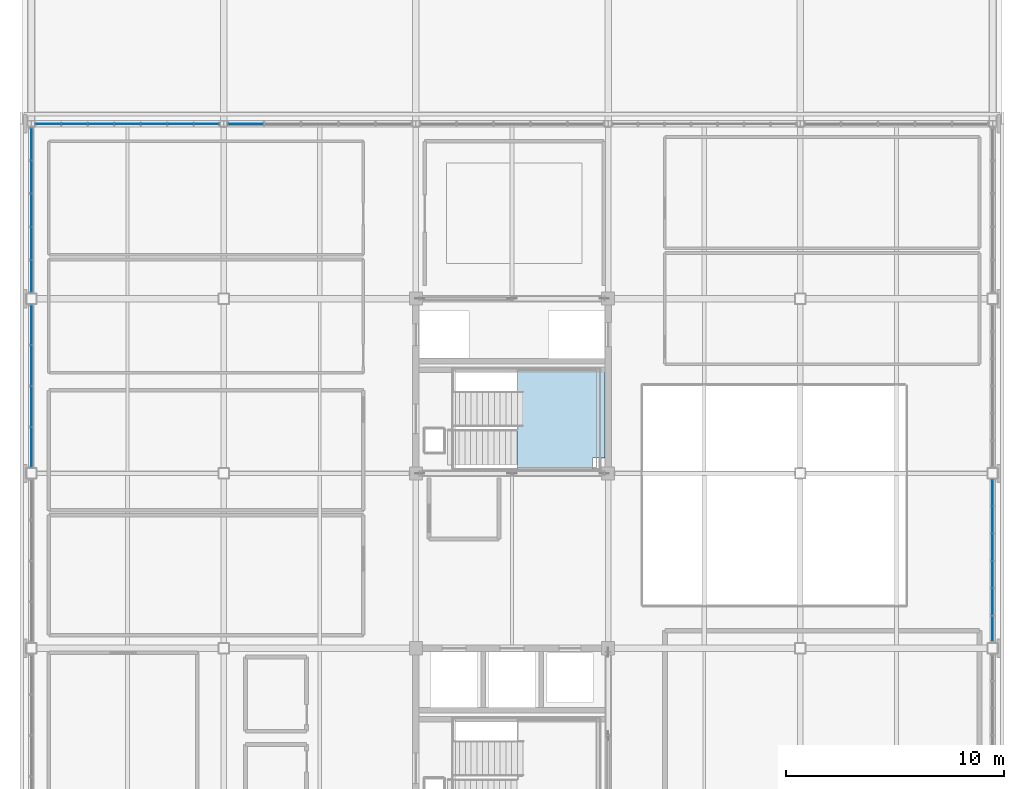
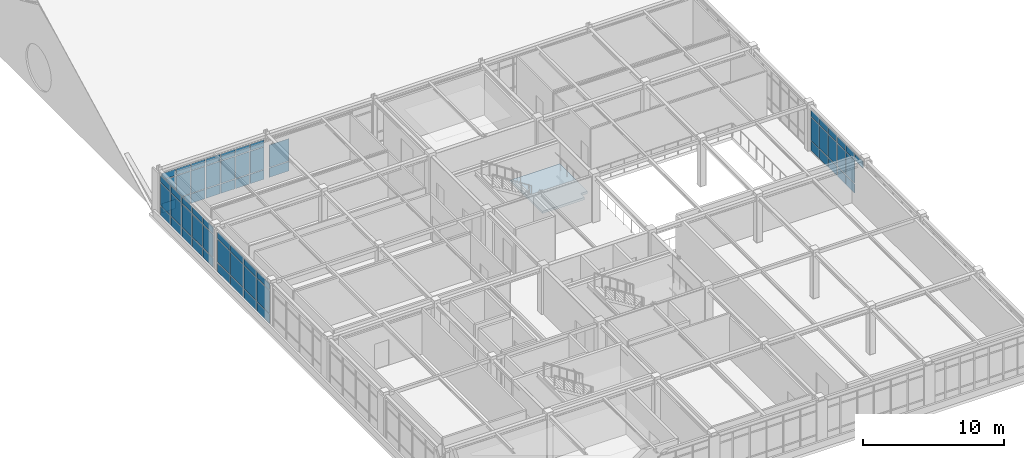
# One storey, part 24 of 45: 66 plates, 1 slab, 6 elements without a shape of their own.
"""IFC4 building model written with IfcOpenShell, lengths in metres."""

from ifc_helpers import new_model, si_unit, direction, frame, origin, origin_2d, place, context, subcontext, project, spatial, polyline, rectangle, outline, extrude, material, layer, layer_set, type_object, element, aggregate, save


model = new_model("IFC4")

# Units and contexts
model_context = context("Model", 3, precision=1e-05, world=origin(), true_north=direction((0.0, 1.0)))
body_context = subcontext(model_context, "Body", "Model", "MODEL_VIEW")
ifc_project = project(units=[si_unit("LENGTHUNIT", "METRE"), si_unit("AREAUNIT", "SQUARE_METRE"), si_unit("VOLUMEUNIT", "CUBIC_METRE"), si_unit("PLANEANGLEUNIT", "RADIAN"), si_unit("MASSUNIT", "GRAM", prefix="KILO")], contexts=[model_context])

# Site, building, storey
site_placement = place(None, origin())
site = spatial("IfcSite", under=ifc_project, at=site_placement, CompositionType="ELEMENT")
building_placement = place(site_placement, origin())
building = spatial("IfcBuilding", under=site, at=building_placement, Name="Zhaolan Boulevard Law Courts", CompositionType="ELEMENT")
storey_placement = place(building_placement, frame((0.0, 0.0, 24.60009765625)))
storey = spatial("IfcBuildingStorey", under=building, at=storey_placement, Name="L05", CompositionType="ELEMENT", Elevation=24.60009765625)

# Curtain wall, plates
ifc_material_1 = material(Name="Thermally broken aluminium and low-E glazing", Category="aluminium")
curtain_wall_type_1 = type_object("IfcCurtainWallType", Name="CURTAIN WALL M15", PredefinedType="USERDEFINED", material=ifc_material_1)
curtain_wall_1_placement = place(storey_placement, origin())
curtain_wall_1 = element("IfcCurtainWall", 1, at=curtain_wall_1_placement, inside=storey, type_object=curtain_wall_type_1, Name="Curtain Wall CW-L05-207", ObjectType="CURTAIN WALL", PredefinedType="USERDEFINED")
ifc_material_2 = material(Name="Triple-silver low-E insulated glazing", Category="glass")
ifc_layer_1 = layer(ifc_material_2, 0.028076171875)
ifc_layer_set_1 = layer_set([ifc_layer_1])
plate_type = type_object("IfcPlateType", Name="CWPANEL LOW E28", PredefinedType="CURTAIN_PANEL", material=ifc_layer_set_1)
plate_1_placement = place(storey_placement, frame((8.026123046875, 78.0, 0.059814453125), z_axis=(0.0, 0.0, 1.0), x_axis=(-1.0, 0.0, 0.0)))
plate_1 = element("IfcPlate", 2, at=plate_1_placement, type_object=plate_type, Name="CW-L05-207 panel 1.1", PredefinedType="CURTAIN_PANEL", context=body_context, shape_type="SweptSolid", body=[
    extrude(rectangle(XDim=1.123779296875, YDim=0.028076171875, at=origin_2d()), origin(), (0.0, 0.0, 1.0), 0.81005859375),
])
plate_2_placement = place(storey_placement, frame((8.026123046875, 78.0, 0.929931640625), z_axis=(0.0, 0.0, 1.0), x_axis=(-1.0, 0.0, 0.0)))
plate_2 = element("IfcPlate", 3, at=plate_2_placement, type_object=plate_type, Name="CW-L05-207 panel 1.2", PredefinedType="CURTAIN_PANEL", context=body_context, shape_type="SweptSolid", body=[
    extrude(rectangle(XDim=1.123779296875, YDim=0.028076171875, at=origin_2d()), origin(), (0.0, 0.0, 1.0), 1.93310546875),
])
plate_3_placement = place(storey_placement, frame((8.026123046875, 78.0, 2.9228515625), z_axis=(0.0, 0.0, 1.0), x_axis=(-1.0, 0.0, 0.0)))
plate_3 = element("IfcPlate", 4, at=plate_3_placement, type_object=plate_type, Name="CW-L05-207 panel 1.3", PredefinedType="CURTAIN_PANEL", context=body_context, shape_type="SweptSolid", body=[
    extrude(rectangle(XDim=1.123779296875, YDim=0.028076171875, at=origin_2d()), origin(), (0.0, 0.0, 1.0), 0.56005859375),
])
plate_4_placement = place(storey_placement, frame((6.827392578125, 78.0, 0.059814453125), z_axis=(0.0, 0.0, 1.0), x_axis=(-1.0, 0.0, 0.0)))
plate_4 = element("IfcPlate", 5, at=plate_4_placement, type_object=plate_type, Name="CW-L05-207 panel 2.1", PredefinedType="CURTAIN_PANEL", context=body_context, shape_type="SweptSolid", body=[
    extrude(rectangle(XDim=1.15380859375, YDim=0.028076171875, at=origin_2d()), origin(), (0.0, 0.0, 1.0), 0.81005859375),
])
plate_5_placement = place(storey_placement, frame((6.827392578125, 78.0, 0.929931640625), z_axis=(0.0, 0.0, 1.0), x_axis=(-1.0, 0.0, 0.0)))
plate_5 = element("IfcPlate", 6, at=plate_5_placement, type_object=plate_type, Name="CW-L05-207 panel 2.2", PredefinedType="CURTAIN_PANEL", context=body_context, shape_type="SweptSolid", body=[
    extrude(rectangle(XDim=1.15380859375, YDim=0.028076171875, at=origin_2d()), origin(), (0.0, 0.0, 1.0), 1.93310546875),
])
plate_6_placement = place(storey_placement, frame((6.827392578125, 78.0, 2.9228515625), z_axis=(0.0, 0.0, 1.0), x_axis=(-1.0, 0.0, 0.0)))
plate_6 = element("IfcPlate", 7, at=plate_6_placement, type_object=plate_type, Name="CW-L05-207 panel 2.3", PredefinedType="CURTAIN_PANEL", context=body_context, shape_type="SweptSolid", body=[
    extrude(rectangle(XDim=1.15380859375, YDim=0.028076171875, at=origin_2d()), origin(), (0.0, 0.0, 1.0), 0.56005859375),
])
plate_7_placement = place(storey_placement, frame((5.61376953125, 78.0, 0.059814453125), z_axis=(0.0, 0.0, 1.0), x_axis=(-1.0, 0.0, 0.0)))
plate_7 = element("IfcPlate", 8, at=plate_7_placement, type_object=plate_type, Name="CW-L05-207 panel 3.1", PredefinedType="CURTAIN_PANEL", context=body_context, shape_type="SweptSolid", body=[
    extrude(rectangle(XDim=1.15380859375, YDim=0.028076171875, at=origin_2d()), origin(), (0.0, 0.0, 1.0), 0.81005859375),
])
plate_8_placement = place(storey_placement, frame((5.61376953125, 78.0, 0.929931640625), z_axis=(0.0, 0.0, 1.0), x_axis=(-1.0, 0.0, 0.0)))
plate_8 = element("IfcPlate", 9, at=plate_8_placement, type_object=plate_type, Name="CW-L05-207 panel 3.2", PredefinedType="CURTAIN_PANEL", context=body_context, shape_type="SweptSolid", body=[
    extrude(rectangle(XDim=1.15380859375, YDim=0.028076171875, at=origin_2d()), origin(), (0.0, 0.0, 1.0), 1.93310546875),
])
plate_9_placement = place(storey_placement, frame((5.61376953125, 78.0, 2.9228515625), z_axis=(0.0, 0.0, 1.0), x_axis=(-1.0, 0.0, 0.0)))
plate_9 = element("IfcPlate", 10, at=plate_9_placement, type_object=plate_type, Name="CW-L05-207 panel 3.3", PredefinedType="CURTAIN_PANEL", context=body_context, shape_type="SweptSolid", body=[
    extrude(rectangle(XDim=1.15380859375, YDim=0.028076171875, at=origin_2d()), origin(), (0.0, 0.0, 1.0), 0.56005859375),
])
plate_10_placement = place(storey_placement, frame((4.39990234375, 78.0, 0.059814453125), z_axis=(0.0, 0.0, 1.0), x_axis=(-1.0, 0.0, 0.0)))
plate_10 = element("IfcPlate", 11, at=plate_10_placement, type_object=plate_type, Name="CW-L05-207 panel 4.1", PredefinedType="CURTAIN_PANEL", context=body_context, shape_type="SweptSolid", body=[
    extrude(rectangle(XDim=1.15380859375, YDim=0.028076171875, at=origin_2d()), origin(), (0.0, 0.0, 1.0), 0.81005859375),
])
plate_11_placement = place(storey_placement, frame((4.39990234375, 78.0, 0.929931640625), z_axis=(0.0, 0.0, 1.0), x_axis=(-1.0, 0.0, 0.0)))
plate_11 = element("IfcPlate", 12, at=plate_11_placement, type_object=plate_type, Name="CW-L05-207 panel 4.2", PredefinedType="CURTAIN_PANEL", context=body_context, shape_type="SweptSolid", body=[
    extrude(rectangle(XDim=1.15380859375, YDim=0.028076171875, at=origin_2d()), origin(), (0.0, 0.0, 1.0), 1.93310546875),
])
plate_12_placement = place(storey_placement, frame((4.39990234375, 78.0, 2.9228515625), z_axis=(0.0, 0.0, 1.0), x_axis=(-1.0, 0.0, 0.0)))
plate_12 = element("IfcPlate", 13, at=plate_12_placement, type_object=plate_type, Name="CW-L05-207 panel 4.3", PredefinedType="CURTAIN_PANEL", context=body_context, shape_type="SweptSolid", body=[
    extrude(rectangle(XDim=1.15380859375, YDim=0.028076171875, at=origin_2d()), origin(), (0.0, 0.0, 1.0), 0.56005859375),
])
plate_13_placement = place(storey_placement, frame((3.186279296875, 78.0, 0.059814453125), z_axis=(0.0, 0.0, 1.0), x_axis=(-1.0, 0.0, 0.0)))
plate_13 = element("IfcPlate", 14, at=plate_13_placement, type_object=plate_type, Name="CW-L05-207 panel 5.1", PredefinedType="CURTAIN_PANEL", context=body_context, shape_type="SweptSolid", body=[
    extrude(rectangle(XDim=1.15380859375, YDim=0.028076171875, at=origin_2d()), origin(), (0.0, 0.0, 1.0), 0.81005859375),
])
plate_14_placement = place(storey_placement, frame((3.186279296875, 78.0, 0.929931640625), z_axis=(0.0, 0.0, 1.0), x_axis=(-1.0, 0.0, 0.0)))
plate_14 = element("IfcPlate", 15, at=plate_14_placement, type_object=plate_type, Name="CW-L05-207 panel 5.2", PredefinedType="CURTAIN_PANEL", context=body_context, shape_type="SweptSolid", body=[
    extrude(rectangle(XDim=1.15380859375, YDim=0.028076171875, at=origin_2d()), origin(), (0.0, 0.0, 1.0), 1.93310546875),
])
plate_15_placement = place(storey_placement, frame((3.186279296875, 78.0, 2.9228515625), z_axis=(0.0, 0.0, 1.0), x_axis=(-1.0, 0.0, 0.0)))
plate_15 = element("IfcPlate", 16, at=plate_15_placement, type_object=plate_type, Name="CW-L05-207 panel 5.3", PredefinedType="CURTAIN_PANEL", context=body_context, shape_type="SweptSolid", body=[
    extrude(rectangle(XDim=1.15380859375, YDim=0.028076171875, at=origin_2d()), origin(), (0.0, 0.0, 1.0), 0.56005859375),
])
plate_16_placement = place(storey_placement, frame((1.97265625, 78.0, 0.059814453125), z_axis=(0.0, 0.0, 1.0), x_axis=(-1.0, 0.0, 0.0)))
plate_16 = element("IfcPlate", 17, at=plate_16_placement, type_object=plate_type, Name="CW-L05-207 panel 6.1", PredefinedType="CURTAIN_PANEL", context=body_context, shape_type="SweptSolid", body=[
    extrude(rectangle(XDim=1.15380859375, YDim=0.028076171875, at=origin_2d()), origin(), (0.0, 0.0, 1.0), 0.81005859375),
])
plate_17_placement = place(storey_placement, frame((1.97265625, 78.0, 0.929931640625), z_axis=(0.0, 0.0, 1.0), x_axis=(-1.0, 0.0, 0.0)))
plate_17 = element("IfcPlate", 18, at=plate_17_placement, type_object=plate_type, Name="CW-L05-207 panel 6.2", PredefinedType="CURTAIN_PANEL", context=body_context, shape_type="SweptSolid", body=[
    extrude(rectangle(XDim=1.15380859375, YDim=0.028076171875, at=origin_2d()), origin(), (0.0, 0.0, 1.0), 1.93310546875),
])
plate_18_placement = place(storey_placement, frame((1.97265625, 78.0, 2.9228515625), z_axis=(0.0, 0.0, 1.0), x_axis=(-1.0, 0.0, 0.0)))
plate_18 = element("IfcPlate", 19, at=plate_18_placement, type_object=plate_type, Name="CW-L05-207 panel 6.3", PredefinedType="CURTAIN_PANEL", context=body_context, shape_type="SweptSolid", body=[
    extrude(rectangle(XDim=1.15380859375, YDim=0.028076171875, at=origin_2d()), origin(), (0.0, 0.0, 1.0), 0.56005859375),
])
plate_19_placement = place(storey_placement, frame((0.77392578125, 78.0, 0.059814453125), z_axis=(0.0, 0.0, 1.0), x_axis=(-1.0, 0.0, 0.0)))
plate_19 = element("IfcPlate", 20, at=plate_19_placement, type_object=plate_type, Name="CW-L05-207 panel 7.1", PredefinedType="CURTAIN_PANEL", context=body_context, shape_type="SweptSolid", body=[
    extrude(rectangle(XDim=1.123779296875, YDim=0.028076171875, at=origin_2d()), origin(), (0.0, 0.0, 1.0), 0.81005859375),
])
plate_20_placement = place(storey_placement, frame((0.77392578125, 78.0, 0.929931640625), z_axis=(0.0, 0.0, 1.0), x_axis=(-1.0, 0.0, 0.0)))
plate_20 = element("IfcPlate", 21, at=plate_20_placement, type_object=plate_type, Name="CW-L05-207 panel 7.2", PredefinedType="CURTAIN_PANEL", context=body_context, shape_type="SweptSolid", body=[
    extrude(rectangle(XDim=1.123779296875, YDim=0.028076171875, at=origin_2d()), origin(), (0.0, 0.0, 1.0), 1.93310546875),
])
plate_21_placement = place(storey_placement, frame((0.77392578125, 78.0, 2.9228515625), z_axis=(0.0, 0.0, 1.0), x_axis=(-1.0, 0.0, 0.0)))
plate_21 = element("IfcPlate", 22, at=plate_21_placement, type_object=plate_type, Name="CW-L05-207 panel 7.3", PredefinedType="CURTAIN_PANEL", context=body_context, shape_type="SweptSolid", body=[
    extrude(rectangle(XDim=1.123779296875, YDim=0.028076171875, at=origin_2d()), origin(), (0.0, 0.0, 1.0), 0.56005859375),
])
aggregate(curtain_wall_1, [plate_1, plate_2, plate_3, plate_4, plate_5, plate_6, plate_7, plate_8, plate_9, plate_10, plate_11, plate_12, plate_13, plate_14, plate_15, plate_16, plate_17, plate_18, plate_19, plate_20, plate_21])

ifc_material_3 = material(Name="Thermally broken aluminium and low-E glazing", Category="aluminium")
curtain_wall_type_2 = type_object("IfcCurtainWallType", Name="CURTAIN WALL M16", PredefinedType="USERDEFINED", material=ifc_material_3)
curtain_wall_2_placement = place(storey_placement, origin())
curtain_wall_2 = element("IfcCurtainWall", 23, at=curtain_wall_2_placement, inside=storey, type_object=curtain_wall_type_2, Name="Curtain Wall CW-L05-208", ObjectType="CURTAIN WALL", PredefinedType="USERDEFINED")
plate_22_placement = place(storey_placement, frame((9.81787109375, 78.0, 0.06494140625), z_axis=(0.0, 0.0, 1.0), x_axis=(-1.0, 0.0, 0.0)))
plate_22 = element("IfcPlate", 24, at=plate_22_placement, type_object=plate_type, Name="CW-L05-208 panel 5.1", PredefinedType="CURTAIN_PANEL", context=body_context, shape_type="SweptSolid", body=[
    extrude(rectangle(XDim=1.601806640625, YDim=0.028076171875, at=origin_2d()), origin(), (0.0, 0.0, 1.0), 0.802490234375),
])
plate_23_placement = place(storey_placement, frame((9.81787109375, 78.0, 0.9326171875), z_axis=(0.0, 0.0, 1.0), x_axis=(-1.0, 0.0, 0.0)))
plate_23 = element("IfcPlate", 25, at=plate_23_placement, type_object=plate_type, Name="CW-L05-208 panel 5.2", PredefinedType="CURTAIN_PANEL", context=body_context, shape_type="SweptSolid", body=[
    extrude(rectangle(XDim=1.601806640625, YDim=0.028076171875, at=origin_2d()), origin(), (0.0, 0.0, 1.0), 1.927978515625),
])
aggregate(curtain_wall_2, [plate_22, plate_23])

ifc_material_4 = material(Name="Thermally broken aluminium and low-E glazing", Category="aluminium")
curtain_wall_type_3 = type_object("IfcCurtainWallType", Name="CURTAIN WALL M24", PredefinedType="USERDEFINED", material=ifc_material_4)
curtain_wall_3_placement = place(storey_placement, origin())
curtain_wall_3 = element("IfcCurtainWall", 26, at=curtain_wall_3_placement, inside=storey, type_object=curtain_wall_type_3, Name="Curtain Wall CW-L05-216", ObjectType="CURTAIN WALL", PredefinedType="USERDEFINED")
plate_24_placement = place(storey_placement, frame((0.0, 68.794677734375, 0.06494140625), z_axis=(0.0, 0.0, 1.0), x_axis=(0.0, -1.0, 0.0)))
plate_24 = element("IfcPlate", 27, at=plate_24_placement, type_object=plate_type, Name="CW-L05-216 panel 1.1", PredefinedType="CURTAIN_PANEL", context=body_context, shape_type="SweptSolid", body=[
    extrude(rectangle(XDim=1.776611328125, YDim=0.028076171875, at=origin_2d()), origin(), (0.0, 0.0, 1.0), 0.802490234375),
])
plate_25_placement = place(storey_placement, frame((0.0, 68.794677734375, 0.932373046875), z_axis=(0.0, 0.0, 1.0), x_axis=(0.0, -1.0, 0.0)))
plate_25 = element("IfcPlate", 28, at=plate_25_placement, type_object=plate_type, Name="CW-L05-216 panel 1.2", PredefinedType="CURTAIN_PANEL", context=body_context, shape_type="SweptSolid", body=[
    extrude(rectangle(XDim=1.776611328125, YDim=0.028076171875, at=origin_2d()), origin(), (0.0, 0.0, 1.0), 1.97802734375),
])
plate_26_placement = place(storey_placement, frame((0.0, 68.794677734375, 2.9755859375), z_axis=(0.0, 0.0, 1.0), x_axis=(0.0, -1.0, 0.0)))
plate_26 = element("IfcPlate", 29, at=plate_26_placement, type_object=plate_type, Name="CW-L05-216 panel 1.3", PredefinedType="CURTAIN_PANEL", context=body_context, shape_type="SweptSolid", body=[
    extrude(rectangle(XDim=1.776611328125, YDim=0.028076171875, at=origin_2d()), origin(), (0.0, 0.0, 1.0), 0.552490234375),
])
plate_27_placement = place(storey_placement, frame((0.0, 66.93701171875, 0.06494140625), z_axis=(0.0, 0.0, 1.0), x_axis=(0.0, -1.0, 0.0)))
plate_27 = element("IfcPlate", 30, at=plate_27_placement, type_object=plate_type, Name="CW-L05-216 panel 2.1", PredefinedType="CURTAIN_PANEL", context=body_context, shape_type="SweptSolid", body=[
    extrude(rectangle(XDim=1.80908203125, YDim=0.028076171875, at=origin_2d()), origin(), (0.0, 0.0, 1.0), 0.802490234375),
])
plate_28_placement = place(storey_placement, frame((0.0, 66.93701171875, 0.932373046875), z_axis=(0.0, 0.0, 1.0), x_axis=(0.0, -1.0, 0.0)))
plate_28 = element("IfcPlate", 31, at=plate_28_placement, type_object=plate_type, Name="CW-L05-216 panel 2.2", PredefinedType="CURTAIN_PANEL", context=body_context, shape_type="SweptSolid", body=[
    extrude(rectangle(XDim=1.80908203125, YDim=0.028076171875, at=origin_2d()), origin(), (0.0, 0.0, 1.0), 1.97802734375),
])
plate_29_placement = place(storey_placement, frame((0.0, 66.93701171875, 2.9755859375), z_axis=(0.0, 0.0, 1.0), x_axis=(0.0, -1.0, 0.0)))
plate_29 = element("IfcPlate", 32, at=plate_29_placement, type_object=plate_type, Name="CW-L05-216 panel 2.3", PredefinedType="CURTAIN_PANEL", context=body_context, shape_type="SweptSolid", body=[
    extrude(rectangle(XDim=1.80908203125, YDim=0.028076171875, at=origin_2d()), origin(), (0.0, 0.0, 1.0), 0.552490234375),
])
plate_30_placement = place(storey_placement, frame((0.0, 65.06298828125, 0.06494140625), z_axis=(0.0, 0.0, 1.0), x_axis=(0.0, -1.0, 0.0)))
plate_30 = element("IfcPlate", 33, at=plate_30_placement, type_object=plate_type, Name="CW-L05-216 panel 3.1", PredefinedType="CURTAIN_PANEL", context=body_context, shape_type="SweptSolid", body=[
    extrude(rectangle(XDim=1.80908203125, YDim=0.028076171875, at=origin_2d()), origin(), (0.0, 0.0, 1.0), 0.802490234375),
])
plate_31_placement = place(storey_placement, frame((0.0, 65.06298828125, 0.932373046875), z_axis=(0.0, 0.0, 1.0), x_axis=(0.0, -1.0, 0.0)))
plate_31 = element("IfcPlate", 34, at=plate_31_placement, type_object=plate_type, Name="CW-L05-216 panel 3.2", PredefinedType="CURTAIN_PANEL", context=body_context, shape_type="SweptSolid", body=[
    extrude(rectangle(XDim=1.80908203125, YDim=0.028076171875, at=origin_2d()), origin(), (0.0, 0.0, 1.0), 1.97802734375),
])
plate_32_placement = place(storey_placement, frame((0.0, 65.06298828125, 2.9755859375), z_axis=(0.0, 0.0, 1.0), x_axis=(0.0, -1.0, 0.0)))
plate_32 = element("IfcPlate", 35, at=plate_32_placement, type_object=plate_type, Name="CW-L05-216 panel 3.3", PredefinedType="CURTAIN_PANEL", context=body_context, shape_type="SweptSolid", body=[
    extrude(rectangle(XDim=1.80908203125, YDim=0.028076171875, at=origin_2d()), origin(), (0.0, 0.0, 1.0), 0.552490234375),
])
plate_33_placement = place(storey_placement, frame((0.0, 63.205322265625, 0.06494140625), z_axis=(0.0, 0.0, 1.0), x_axis=(0.0, -1.0, 0.0)))
plate_33 = element("IfcPlate", 36, at=plate_33_placement, type_object=plate_type, Name="CW-L05-216 panel 4.1", PredefinedType="CURTAIN_PANEL", context=body_context, shape_type="SweptSolid", body=[
    extrude(rectangle(XDim=1.776611328125, YDim=0.028076171875, at=origin_2d()), origin(), (0.0, 0.0, 1.0), 0.802490234375),
])
plate_34_placement = place(storey_placement, frame((0.0, 63.205322265625, 0.932373046875), z_axis=(0.0, 0.0, 1.0), x_axis=(0.0, -1.0, 0.0)))
plate_34 = element("IfcPlate", 37, at=plate_34_placement, type_object=plate_type, Name="CW-L05-216 panel 4.2", PredefinedType="CURTAIN_PANEL", context=body_context, shape_type="SweptSolid", body=[
    extrude(rectangle(XDim=1.776611328125, YDim=0.028076171875, at=origin_2d()), origin(), (0.0, 0.0, 1.0), 1.97802734375),
])
plate_35_placement = place(storey_placement, frame((0.0, 63.205322265625, 2.9755859375), z_axis=(0.0, 0.0, 1.0), x_axis=(0.0, -1.0, 0.0)))
plate_35 = element("IfcPlate", 38, at=plate_35_placement, type_object=plate_type, Name="CW-L05-216 panel 4.3", PredefinedType="CURTAIN_PANEL", context=body_context, shape_type="SweptSolid", body=[
    extrude(rectangle(XDim=1.776611328125, YDim=0.028076171875, at=origin_2d()), origin(), (0.0, 0.0, 1.0), 0.552490234375),
])
aggregate(curtain_wall_3, [plate_24, plate_25, plate_26, plate_27, plate_28, plate_29, plate_30, plate_31, plate_32, plate_33, plate_34, plate_35])

ifc_material_5 = material(Name="Thermally broken aluminium and low-E glazing", Category="aluminium")
curtain_wall_type_4 = type_object("IfcCurtainWallType", Name="CURTAIN WALL M1", PredefinedType="USERDEFINED", material=ifc_material_5)
curtain_wall_4_placement = place(storey_placement, origin())
curtain_wall_4 = element("IfcCurtainWall", 39, at=curtain_wall_4_placement, inside=storey, type_object=curtain_wall_type_4, Name="Curtain Wall CW-L05-217", ObjectType="CURTAIN WALL", PredefinedType="USERDEFINED")
plate_36_placement = place(storey_placement, frame((0.0, 77.072265625, 0.06494140625), z_axis=(0.0, 0.0, 1.0), x_axis=(0.0, -1.0, 0.0)))
plate_36 = element("IfcPlate", 40, at=plate_36_placement, type_object=plate_type, Name="CW-L05-217 panel 1.1", PredefinedType="CURTAIN_PANEL", context=body_context, shape_type="SweptSolid", body=[
    extrude(rectangle(XDim=1.421630859375, YDim=0.028076171875, at=origin_2d()), origin(), (0.0, 0.0, 1.0), 0.802490234375),
])
plate_37_placement = place(storey_placement, frame((0.0, 77.072265625, 0.932373046875), z_axis=(0.0, 0.0, 1.0), x_axis=(0.0, -1.0, 0.0)))
plate_37 = element("IfcPlate", 41, at=plate_37_placement, type_object=plate_type, Name="CW-L05-217 panel 1.2", PredefinedType="CURTAIN_PANEL", context=body_context, shape_type="SweptSolid", body=[
    extrude(rectangle(XDim=1.421630859375, YDim=0.028076171875, at=origin_2d()), origin(), (0.0, 0.0, 1.0), 1.97802734375),
])
plate_38_placement = place(storey_placement, frame((0.0, 77.072265625, 2.9755859375), z_axis=(0.0, 0.0, 1.0), x_axis=(0.0, -1.0, 0.0)))
plate_38 = element("IfcPlate", 42, at=plate_38_placement, type_object=plate_type, Name="CW-L05-217 panel 1.3", PredefinedType="CURTAIN_PANEL", context=body_context, shape_type="SweptSolid", body=[
    extrude(rectangle(XDim=1.421630859375, YDim=0.028076171875, at=origin_2d()), origin(), (0.0, 0.0, 1.0), 0.552490234375),
])
plate_39_placement = place(storey_placement, frame((0.0, 75.569091796875, 0.06494140625), z_axis=(0.0, 0.0, 1.0), x_axis=(0.0, -1.0, 0.0)))
plate_39 = element("IfcPlate", 43, at=plate_39_placement, type_object=plate_type, Name="CW-L05-217 panel 2.1", PredefinedType="CURTAIN_PANEL", context=body_context, shape_type="SweptSolid", body=[
    extrude(rectangle(XDim=1.4541015625, YDim=0.028076171875, at=origin_2d()), origin(), (0.0, 0.0, 1.0), 0.802490234375),
])
plate_40_placement = place(storey_placement, frame((0.0, 75.569091796875, 0.932373046875), z_axis=(0.0, 0.0, 1.0), x_axis=(0.0, -1.0, 0.0)))
plate_40 = element("IfcPlate", 44, at=plate_40_placement, type_object=plate_type, Name="CW-L05-217 panel 2.2", PredefinedType="CURTAIN_PANEL", context=body_context, shape_type="SweptSolid", body=[
    extrude(rectangle(XDim=1.4541015625, YDim=0.028076171875, at=origin_2d()), origin(), (0.0, 0.0, 1.0), 1.97802734375),
])
plate_41_placement = place(storey_placement, frame((0.0, 75.569091796875, 2.9755859375), z_axis=(0.0, 0.0, 1.0), x_axis=(0.0, -1.0, 0.0)))
plate_41 = element("IfcPlate", 45, at=plate_41_placement, type_object=plate_type, Name="CW-L05-217 panel 2.3", PredefinedType="CURTAIN_PANEL", context=body_context, shape_type="SweptSolid", body=[
    extrude(rectangle(XDim=1.4541015625, YDim=0.028076171875, at=origin_2d()), origin(), (0.0, 0.0, 1.0), 0.552490234375),
])
plate_42_placement = place(storey_placement, frame((0.0, 74.050048828125, 0.06494140625), z_axis=(0.0, 0.0, 1.0), x_axis=(0.0, -1.0, 0.0)))
plate_42 = element("IfcPlate", 46, at=plate_42_placement, type_object=plate_type, Name="CW-L05-217 panel 3.1", PredefinedType="CURTAIN_PANEL", context=body_context, shape_type="SweptSolid", body=[
    extrude(rectangle(XDim=1.4541015625, YDim=0.028076171875, at=origin_2d()), origin(), (0.0, 0.0, 1.0), 0.802490234375),
])
plate_43_placement = place(storey_placement, frame((0.0, 74.050048828125, 0.932373046875), z_axis=(0.0, 0.0, 1.0), x_axis=(0.0, -1.0, 0.0)))
plate_43 = element("IfcPlate", 47, at=plate_43_placement, type_object=plate_type, Name="CW-L05-217 panel 3.2", PredefinedType="CURTAIN_PANEL", context=body_context, shape_type="SweptSolid", body=[
    extrude(rectangle(XDim=1.4541015625, YDim=0.028076171875, at=origin_2d()), origin(), (0.0, 0.0, 1.0), 1.97802734375),
])
plate_44_placement = place(storey_placement, frame((0.0, 74.050048828125, 2.9755859375), z_axis=(0.0, 0.0, 1.0), x_axis=(0.0, -1.0, 0.0)))
plate_44 = element("IfcPlate", 48, at=plate_44_placement, type_object=plate_type, Name="CW-L05-217 panel 3.3", PredefinedType="CURTAIN_PANEL", context=body_context, shape_type="SweptSolid", body=[
    extrude(rectangle(XDim=1.4541015625, YDim=0.028076171875, at=origin_2d()), origin(), (0.0, 0.0, 1.0), 0.552490234375),
])
plate_45_placement = place(storey_placement, frame((0.0, 72.53076171875, 0.06494140625), z_axis=(0.0, 0.0, 1.0), x_axis=(0.0, -1.0, 0.0)))
plate_45 = element("IfcPlate", 49, at=plate_45_placement, type_object=plate_type, Name="CW-L05-217 panel 4.1", PredefinedType="CURTAIN_PANEL", context=body_context, shape_type="SweptSolid", body=[
    extrude(rectangle(XDim=1.4541015625, YDim=0.028076171875, at=origin_2d()), origin(), (0.0, 0.0, 1.0), 0.802490234375),
])
plate_46_placement = place(storey_placement, frame((0.0, 72.53076171875, 0.932373046875), z_axis=(0.0, 0.0, 1.0), x_axis=(0.0, -1.0, 0.0)))
plate_46 = element("IfcPlate", 50, at=plate_46_placement, type_object=plate_type, Name="CW-L05-217 panel 4.2", PredefinedType="CURTAIN_PANEL", context=body_context, shape_type="SweptSolid", body=[
    extrude(rectangle(XDim=1.4541015625, YDim=0.028076171875, at=origin_2d()), origin(), (0.0, 0.0, 1.0), 1.97802734375),
])
plate_47_placement = place(storey_placement, frame((0.0, 72.53076171875, 2.9755859375), z_axis=(0.0, 0.0, 1.0), x_axis=(0.0, -1.0, 0.0)))
plate_47 = element("IfcPlate", 51, at=plate_47_placement, type_object=plate_type, Name="CW-L05-217 panel 4.3", PredefinedType="CURTAIN_PANEL", context=body_context, shape_type="SweptSolid", body=[
    extrude(rectangle(XDim=1.4541015625, YDim=0.028076171875, at=origin_2d()), origin(), (0.0, 0.0, 1.0), 0.552490234375),
])
plate_48_placement = place(storey_placement, frame((0.0, 71.02783203125, 0.06494140625), z_axis=(0.0, 0.0, 1.0), x_axis=(0.0, -1.0, 0.0)))
plate_48 = element("IfcPlate", 52, at=plate_48_placement, type_object=plate_type, Name="CW-L05-217 panel 5.1", PredefinedType="CURTAIN_PANEL", context=body_context, shape_type="SweptSolid", body=[
    extrude(rectangle(XDim=1.421630859375, YDim=0.028076171875, at=origin_2d()), origin(), (0.0, 0.0, 1.0), 0.802490234375),
])
plate_49_placement = place(storey_placement, frame((0.0, 71.02783203125, 0.932373046875), z_axis=(0.0, 0.0, 1.0), x_axis=(0.0, -1.0, 0.0)))
plate_49 = element("IfcPlate", 53, at=plate_49_placement, type_object=plate_type, Name="CW-L05-217 panel 5.2", PredefinedType="CURTAIN_PANEL", context=body_context, shape_type="SweptSolid", body=[
    extrude(rectangle(XDim=1.421630859375, YDim=0.028076171875, at=origin_2d()), origin(), (0.0, 0.0, 1.0), 1.97802734375),
])
plate_50_placement = place(storey_placement, frame((0.0, 71.02783203125, 2.9755859375), z_axis=(0.0, 0.0, 1.0), x_axis=(0.0, -1.0, 0.0)))
plate_50 = element("IfcPlate", 54, at=plate_50_placement, type_object=plate_type, Name="CW-L05-217 panel 5.3", PredefinedType="CURTAIN_PANEL", context=body_context, shape_type="SweptSolid", body=[
    extrude(rectangle(XDim=1.421630859375, YDim=0.028076171875, at=origin_2d()), origin(), (0.0, 0.0, 1.0), 0.552490234375),
])
aggregate(curtain_wall_4, [plate_36, plate_37, plate_38, plate_39, plate_40, plate_41, plate_42, plate_43, plate_44, plate_45, plate_46, plate_47, plate_48, plate_49, plate_50])

ifc_material_6 = material(Name="Thermally broken aluminium and low-E glazing", Category="aluminium")
curtain_wall_type_5 = type_object("IfcCurtainWallType", Name="CURTAIN WALL M5", PredefinedType="USERDEFINED", material=ifc_material_6)
curtain_wall_5_placement = place(storey_placement, origin())
curtain_wall_5 = element("IfcCurtainWall", 55, at=curtain_wall_5_placement, inside=storey, type_object=curtain_wall_type_5, Name="Curtain Wall CW-L05-221", ObjectType="CURTAIN WALL", PredefinedType="USERDEFINED")
plate_51_placement = place(storey_placement, frame((44.0, 54.8916015625, 2.972900390625), z_axis=(0.0, 0.0, 1.0), x_axis=(0.0, 1.0, 0.0)))
plate_51 = element("IfcPlate", 56, at=plate_51_placement, type_object=plate_type, Name="CW-L05-221 panel 1.3", PredefinedType="CURTAIN_PANEL", context=body_context, shape_type="SweptSolid", body=[
    extrude(rectangle(XDim=1.159423828125, YDim=0.028076171875, at=origin_2d()), origin(), (0.0, 0.0, 1.0), 0.56005859375),
])
plate_52_placement = place(storey_placement, frame((44.0, 56.1259765625, 0.059814453125), z_axis=(0.0, 0.0, 1.0), x_axis=(0.0, 1.0, 0.0)))
plate_52 = element("IfcPlate", 57, at=plate_52_placement, type_object=plate_type, Name="CW-L05-221 panel 2.1", PredefinedType="CURTAIN_PANEL", context=body_context, shape_type="SweptSolid", body=[
    extrude(rectangle(XDim=1.189453125, YDim=0.028076171875, at=origin_2d()), origin(), (0.0, 0.0, 1.0), 0.81005859375),
])
plate_53_placement = place(storey_placement, frame((44.0, 56.1259765625, 0.929931640625), z_axis=(0.0, 0.0, 1.0), x_axis=(0.0, 1.0, 0.0)))
plate_53 = element("IfcPlate", 58, at=plate_53_placement, type_object=plate_type, Name="CW-L05-221 panel 2.2", PredefinedType="CURTAIN_PANEL", context=body_context, shape_type="SweptSolid", body=[
    extrude(rectangle(XDim=1.189453125, YDim=0.028076171875, at=origin_2d()), origin(), (0.0, 0.0, 1.0), 1.98291015625),
])
plate_54_placement = place(storey_placement, frame((44.0, 56.1259765625, 2.972900390625), z_axis=(0.0, 0.0, 1.0), x_axis=(0.0, 1.0, 0.0)))
plate_54 = element("IfcPlate", 59, at=plate_54_placement, type_object=plate_type, Name="CW-L05-221 panel 2.3", PredefinedType="CURTAIN_PANEL", context=body_context, shape_type="SweptSolid", body=[
    extrude(rectangle(XDim=1.189453125, YDim=0.028076171875, at=origin_2d()), origin(), (0.0, 0.0, 1.0), 0.56005859375),
])
plate_55_placement = place(storey_placement, frame((44.0, 57.375244140625, 0.059814453125), z_axis=(0.0, 0.0, 1.0), x_axis=(0.0, 1.0, 0.0)))
plate_55 = element("IfcPlate", 60, at=plate_55_placement, type_object=plate_type, Name="CW-L05-221 panel 3.1", PredefinedType="CURTAIN_PANEL", context=body_context, shape_type="SweptSolid", body=[
    extrude(rectangle(XDim=1.189453125, YDim=0.028076171875, at=origin_2d()), origin(), (0.0, 0.0, 1.0), 0.81005859375),
])
plate_56_placement = place(storey_placement, frame((44.0, 57.375244140625, 0.929931640625), z_axis=(0.0, 0.0, 1.0), x_axis=(0.0, 1.0, 0.0)))
plate_56 = element("IfcPlate", 61, at=plate_56_placement, type_object=plate_type, Name="CW-L05-221 panel 3.2", PredefinedType="CURTAIN_PANEL", context=body_context, shape_type="SweptSolid", body=[
    extrude(rectangle(XDim=1.189453125, YDim=0.028076171875, at=origin_2d()), origin(), (0.0, 0.0, 1.0), 1.98291015625),
])
plate_57_placement = place(storey_placement, frame((44.0, 57.375244140625, 2.972900390625), z_axis=(0.0, 0.0, 1.0), x_axis=(0.0, 1.0, 0.0)))
plate_57 = element("IfcPlate", 62, at=plate_57_placement, type_object=plate_type, Name="CW-L05-221 panel 3.3", PredefinedType="CURTAIN_PANEL", context=body_context, shape_type="SweptSolid", body=[
    extrude(rectangle(XDim=1.189453125, YDim=0.028076171875, at=origin_2d()), origin(), (0.0, 0.0, 1.0), 0.56005859375),
])
plate_58_placement = place(storey_placement, frame((44.0, 58.624755859375, 0.059814453125), z_axis=(0.0, 0.0, 1.0), x_axis=(0.0, 1.0, 0.0)))
plate_58 = element("IfcPlate", 63, at=plate_58_placement, type_object=plate_type, Name="CW-L05-221 panel 4.1", PredefinedType="CURTAIN_PANEL", context=body_context, shape_type="SweptSolid", body=[
    extrude(rectangle(XDim=1.189453125, YDim=0.028076171875, at=origin_2d()), origin(), (0.0, 0.0, 1.0), 0.81005859375),
])
plate_59_placement = place(storey_placement, frame((44.0, 58.624755859375, 0.929931640625), z_axis=(0.0, 0.0, 1.0), x_axis=(0.0, 1.0, 0.0)))
plate_59 = element("IfcPlate", 64, at=plate_59_placement, type_object=plate_type, Name="CW-L05-221 panel 4.2", PredefinedType="CURTAIN_PANEL", context=body_context, shape_type="SweptSolid", body=[
    extrude(rectangle(XDim=1.189453125, YDim=0.028076171875, at=origin_2d()), origin(), (0.0, 0.0, 1.0), 1.98291015625),
])
plate_60_placement = place(storey_placement, frame((44.0, 58.624755859375, 2.972900390625), z_axis=(0.0, 0.0, 1.0), x_axis=(0.0, 1.0, 0.0)))
plate_60 = element("IfcPlate", 65, at=plate_60_placement, type_object=plate_type, Name="CW-L05-221 panel 4.3", PredefinedType="CURTAIN_PANEL", context=body_context, shape_type="SweptSolid", body=[
    extrude(rectangle(XDim=1.189453125, YDim=0.028076171875, at=origin_2d()), origin(), (0.0, 0.0, 1.0), 0.56005859375),
])
plate_61_placement = place(storey_placement, frame((44.0, 59.8740234375, 0.059814453125), z_axis=(0.0, 0.0, 1.0), x_axis=(0.0, 1.0, 0.0)))
plate_61 = element("IfcPlate", 66, at=plate_61_placement, type_object=plate_type, Name="CW-L05-221 panel 5.1", PredefinedType="CURTAIN_PANEL", context=body_context, shape_type="SweptSolid", body=[
    extrude(rectangle(XDim=1.189453125, YDim=0.028076171875, at=origin_2d()), origin(), (0.0, 0.0, 1.0), 0.81005859375),
])
plate_62_placement = place(storey_placement, frame((44.0, 59.8740234375, 0.929931640625), z_axis=(0.0, 0.0, 1.0), x_axis=(0.0, 1.0, 0.0)))
plate_62 = element("IfcPlate", 67, at=plate_62_placement, type_object=plate_type, Name="CW-L05-221 panel 5.2", PredefinedType="CURTAIN_PANEL", context=body_context, shape_type="SweptSolid", body=[
    extrude(rectangle(XDim=1.189453125, YDim=0.028076171875, at=origin_2d()), origin(), (0.0, 0.0, 1.0), 1.98291015625),
])
plate_63_placement = place(storey_placement, frame((44.0, 59.8740234375, 2.972900390625), z_axis=(0.0, 0.0, 1.0), x_axis=(0.0, 1.0, 0.0)))
plate_63 = element("IfcPlate", 68, at=plate_63_placement, type_object=plate_type, Name="CW-L05-221 panel 5.3", PredefinedType="CURTAIN_PANEL", context=body_context, shape_type="SweptSolid", body=[
    extrude(rectangle(XDim=1.189453125, YDim=0.028076171875, at=origin_2d()), origin(), (0.0, 0.0, 1.0), 0.56005859375),
])
plate_64_placement = place(storey_placement, frame((44.0, 61.1083984375, 0.059814453125), z_axis=(0.0, 0.0, 1.0), x_axis=(0.0, 1.0, 0.0)))
plate_64 = element("IfcPlate", 69, at=plate_64_placement, type_object=plate_type, Name="CW-L05-221 panel 6.1", PredefinedType="CURTAIN_PANEL", context=body_context, shape_type="SweptSolid", body=[
    extrude(rectangle(XDim=1.159423828125, YDim=0.028076171875, at=origin_2d()), origin(), (0.0, 0.0, 1.0), 0.81005859375),
])
plate_65_placement = place(storey_placement, frame((44.0, 61.1083984375, 0.929931640625), z_axis=(0.0, 0.0, 1.0), x_axis=(0.0, 1.0, 0.0)))
plate_65 = element("IfcPlate", 70, at=plate_65_placement, type_object=plate_type, Name="CW-L05-221 panel 6.2", PredefinedType="CURTAIN_PANEL", context=body_context, shape_type="SweptSolid", body=[
    extrude(rectangle(XDim=1.159423828125, YDim=0.028076171875, at=origin_2d()), origin(), (0.0, 0.0, 1.0), 1.98291015625),
])
plate_66_placement = place(storey_placement, frame((44.0, 61.1083984375, 2.972900390625), z_axis=(0.0, 0.0, 1.0), x_axis=(0.0, 1.0, 0.0)))
plate_66 = element("IfcPlate", 71, at=plate_66_placement, type_object=plate_type, Name="CW-L05-221 panel 6.3", PredefinedType="CURTAIN_PANEL", context=body_context, shape_type="SweptSolid", body=[
    extrude(rectangle(XDim=1.159423828125, YDim=0.028076171875, at=origin_2d()), origin(), (0.0, 0.0, 1.0), 0.56005859375),
])
aggregate(curtain_wall_5, [plate_51, plate_52, plate_53, plate_54, plate_55, plate_56, plate_57, plate_58, plate_59, plate_60, plate_61, plate_62, plate_63, plate_64, plate_65, plate_66])

# Stair, slab
ifc_material_7 = material(Name="Concrete C40", Category="concrete")
stair_type = type_object("IfcStairType", Name="HALF TURN STAIR 42 A", PredefinedType="HALF_TURN_STAIR", material=ifc_material_7)
stair_placement = place(storey_placement, origin())
stair = element("IfcStair", 72, at=stair_placement, inside=storey, type_object=stair_type, Name="Stair ST02-L05", PredefinedType="HALF_TURN_STAIR")
ifc_material_8 = material(Name="Concrete C40", Category="concrete")
ifc_layer_2 = layer(ifc_material_8, 0.199951171875)
ifc_layer_set_2 = layer_set([ifc_layer_2])
slab_type = type_object("IfcSlabType", Name="STAIR LANDING 200", PredefinedType="LANDING", material=ifc_layer_set_2)
slab_placement = place(storey_placement, frame((0.0, 0.0, 1.89990234375)))
slab = element("IfcSlab", 73, at=slab_placement, type_object=slab_type, Name="Stair Landing ST02-L05-L1", PredefinedType="LANDING", context=body_context, shape_type="SweptSolid", body=[
    extrude(outline(polyline([(22.22998046875, 62.14501953125), (25.695068359375, 62.14501953125), (25.695068359375, 62.705078125), (26.2548828125, 62.705078125), (26.2548828125, 66.639892578125), (22.22998046875, 66.639892578125), (22.22998046875, 62.14501953125)])), origin(), (0.0, 0.0, 1.0), 0.199951171875),
])
aggregate(stair, [slab])

save(model, "model.ifc")
